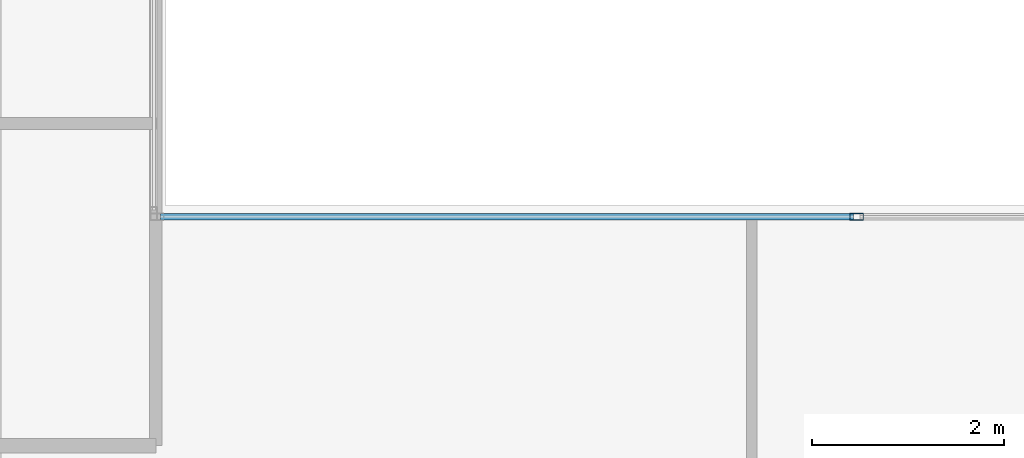
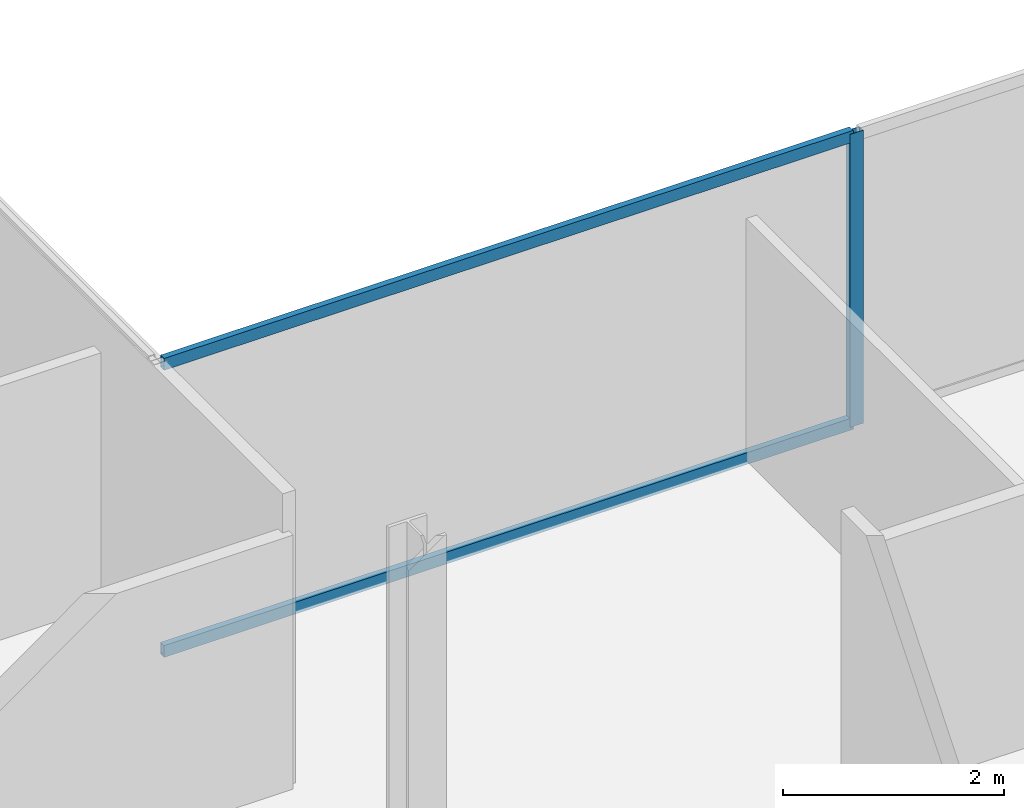
# One storey, part 9 of 23: 3 members, 1 element without a shape of its own.
"""IFC4 building model written with IfcOpenShell, lengths in metres."""

from ifc_helpers import new_model, si_unit, direction, frame, origin, origin_2d, place, context, subcontext, project, spatial, hollow_rectangle, extrude, material, material_profile, profile_set, type_object, element, aggregate, save


model = new_model("IFC4")

# Units and contexts
model_context = context("Model", 3, precision=1e-05, world=origin(), true_north=direction((0.0, 1.0)))
body_context = subcontext(model_context, "Body", "Model", "MODEL_VIEW")
ifc_project = project(units=[si_unit("LENGTHUNIT", "METRE"), si_unit("AREAUNIT", "SQUARE_METRE"), si_unit("VOLUMEUNIT", "CUBIC_METRE"), si_unit("PLANEANGLEUNIT", "RADIAN"), si_unit("MASSUNIT", "GRAM", prefix="KILO")], contexts=[model_context])

# Site, building, storey
site_placement = place(None, origin())
site = spatial("IfcSite", under=ifc_project, at=site_placement, CompositionType="ELEMENT")
building_placement = place(site_placement, origin())
building = spatial("IfcBuilding", under=site, at=building_placement, Name="Cobrela Telecom Tower", CompositionType="ELEMENT")
storey_placement = place(building_placement, frame((0.0, 0.0, 283.14990234375)))
storey = spatial("IfcBuildingStorey", under=building, at=storey_placement, Name="L74", CompositionType="ELEMENT", Elevation=283.14990234375)

# Curtain wall, members
ifc_material = material(Name="Anodized Bronze Aluminium 6063-T6", Category="aluminium")
curtain_wall_type = type_object("IfcCurtainWallType", Name="CW-SYS-OFF-HI", PredefinedType="USERDEFINED", material=ifc_material)
curtain_wall_placement = place(storey_placement, origin())
curtain_wall = element("IfcCurtainWall", 1, at=curtain_wall_placement, inside=storey, type_object=curtain_wall_type, Name="L74 Unitised Bronze Curtain Wall 09", ObjectType="UNITISED CURTAIN WALL", PredefinedType="USERDEFINED")
ifc_material_profile_1 = material_profile(ifc_material, hollow_rectangle(XDim=0.070068359375, YDim=0.139892578125, WallThickness=0.00390625, at=origin_2d()), Name="ALU 70x140x4")
ifc_profile_set_1 = profile_set([ifc_material_profile_1], Name="Anodized Bronze Aluminium 6063-T6")
member_type_1 = type_object("IfcMemberType", Name="CW-SYS-OFF-HI-MUL", PredefinedType="MULLION", material=ifc_profile_set_1)
member_1_placement = place(storey_placement, frame((28.18994140625, 25.080078125, 0.0), z_axis=(0.0, 0.0, 1.0), x_axis=(0.0, 1.0, 0.0)))
member_1 = element("IfcMember", 2, at=member_1_placement, type_object=member_type_1, Name="CW-OFF-HI mullion 2", PredefinedType="MULLION", context=body_context, shape_type="SweptSolid", body=[
    extrude(hollow_rectangle(XDim=0.070068359375, YDim=0.139892578125, WallThickness=0.00390625, at=origin_2d()), origin(), (0.0, 0.0, 1.0), 3.239990234375),
])
ifc_material_profile_2 = material_profile(ifc_material, hollow_rectangle(XDim=0.06494140625, YDim=0.1298828125, WallThickness=0.00390625, at=origin_2d()), Name="ALU 65x130x4")
ifc_profile_set_2 = profile_set([ifc_material_profile_2], Name="Anodized Bronze Aluminium 6063-T6")
member_type_2 = type_object("IfcMemberType", Name="CW-SYS-OFF-HI-TRN", PredefinedType="USERDEFINED", material=ifc_profile_set_2)
member_2_placement = place(storey_placement, frame((20.949951171875, 25.080078125, 0.03271484375), z_axis=(1.0, 0.0, 0.0), x_axis=(0.0, 1.0, 0.0)))
member_2 = element("IfcMember", 3, at=member_2_placement, type_object=member_type_2, Name="CW-OFF-HI transom 1.1", ObjectType="TRANSOM", PredefinedType="USERDEFINED", context=body_context, shape_type="SweptSolid", body=[
    extrude(hollow_rectangle(XDim=0.06494140625, YDim=0.1298828125, WallThickness=0.00390625, at=origin_2d()), origin(), (0.0, 0.0, 1.0), 7.205078125),
])
member_3_placement = place(storey_placement, frame((20.949951171875, 25.080078125, 3.20751953125), z_axis=(1.0, 0.0, 0.0), x_axis=(0.0, 1.0, 0.0)))
member_3 = element("IfcMember", 4, at=member_3_placement, type_object=member_type_2, Name="CW-OFF-HI transom 1.2", ObjectType="TRANSOM", PredefinedType="USERDEFINED", context=body_context, shape_type="SweptSolid", body=[
    extrude(hollow_rectangle(XDim=0.06494140625, YDim=0.1298828125, WallThickness=0.00390625, at=origin_2d()), origin(), (0.0, 0.0, 1.0), 7.205078125),
])
aggregate(curtain_wall, [member_1, member_2, member_3])

save(model, "model.ifc")
